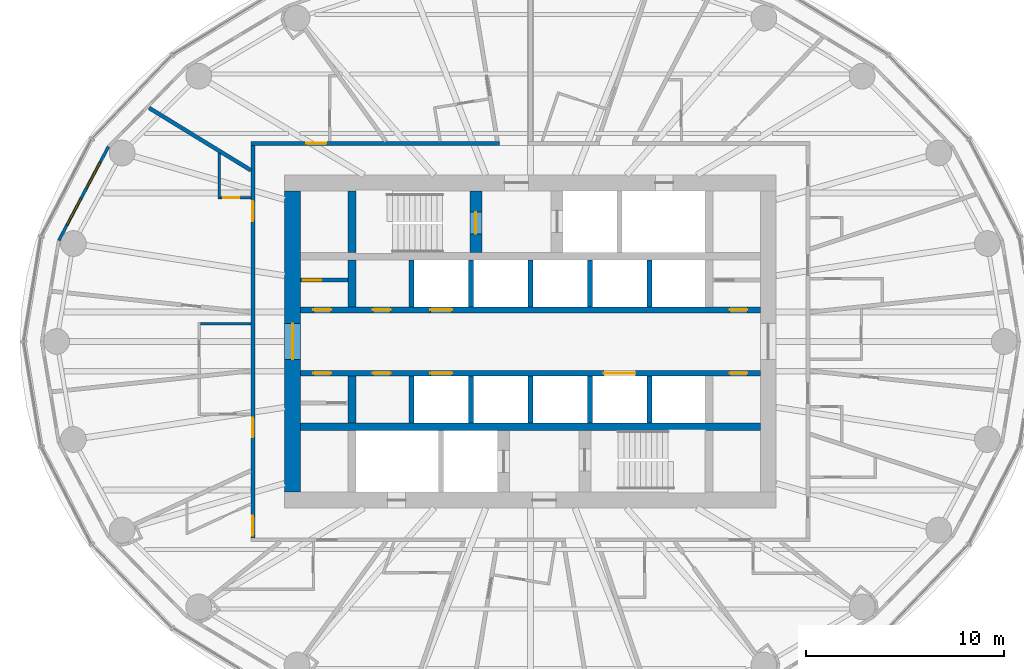
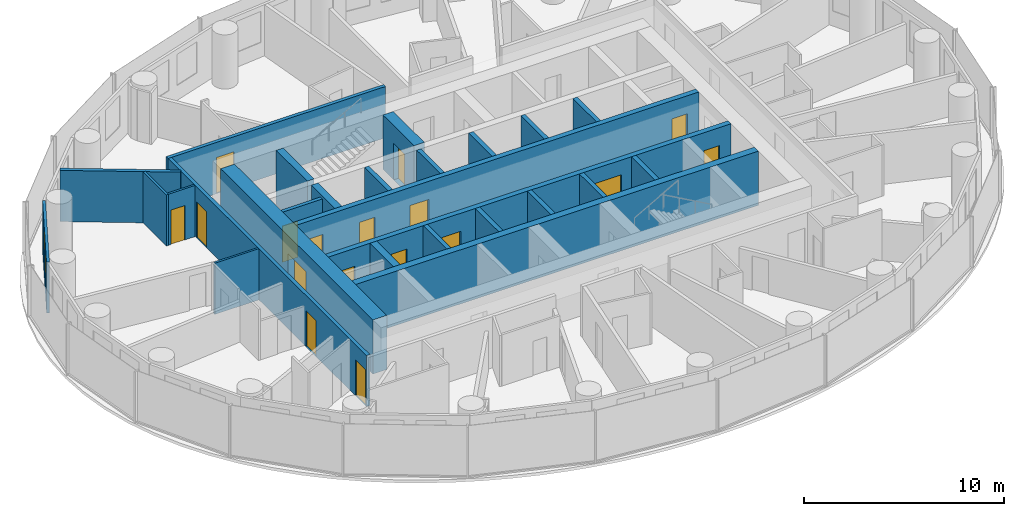
# One storey, part 8 of 13: 26 walls, 17 doors, 2 windows, 19 openings.
"""IFC4 building model written with IfcOpenShell, lengths in metres."""

from ifc_helpers import new_model, si_unit, direction, frame, frame_2d, origin, place, context, subcontext, project, spatial, rectangle, extrude, material, layer, layer_set, type_object, element, fill, save


model = new_model("IFC4")

# Units and contexts
model_context = context("Model", 3, precision=1e-05, world=origin(), true_north=direction((0.0, 1.0)))
body_context = subcontext(model_context, "Body", "Model", "MODEL_VIEW")
ifc_project = project(units=[si_unit("LENGTHUNIT", "METRE"), si_unit("AREAUNIT", "SQUARE_METRE"), si_unit("VOLUMEUNIT", "CUBIC_METRE"), si_unit("PLANEANGLEUNIT", "RADIAN"), si_unit("MASSUNIT", "GRAM", prefix="KILO")], contexts=[model_context])

# Site, building, storey
site_placement = place(None, origin())
site = spatial("IfcSite", under=ifc_project, at=site_placement, CompositionType="ELEMENT")
building_placement = place(site_placement, origin())
building = spatial("IfcBuilding", under=site, at=building_placement, Name="Hankou Lantern Tower", CompositionType="ELEMENT")
storey_placement = place(building_placement, frame((0.0, 0.0, 128.699951171875)))
storey = spatial("IfcBuildingStorey", under=building, at=storey_placement, Name="L33", CompositionType="ELEMENT", Elevation=128.699951171875)

# Wall, opening, door
ifc_material_1 = material(Name="Concrete C60", Category="concrete")
ifc_layer_1 = layer(ifc_material_1, 0.800048828125)
ifc_layer_set_1 = layer_set([ifc_layer_1], Name="Concrete C60")
wall_type_1 = type_object("IfcWallType", Name="CW2 CORE WALL 800", PredefinedType="SHEAR", material=ifc_layer_set_1)
wall_1_placement = place(storey_placement, frame((-12.0, 7.60009765625, 0.0), z_axis=(0.0, 0.0, 1.0), x_axis=(0.0, -1.0, 0.0)))
wall_1 = element("IfcWall", 1, at=wall_1_placement, inside=storey, type_object=wall_type_1, Name="Core wall west L33", PredefinedType="SHEAR", context=body_context, shape_type="SweptSolid", body=[
    extrude(rectangle(XDim=15.2001953125, YDim=0.800048828125, at=frame_2d((7.60009765625, 0.0))), origin(), (0.0, 0.0, 1.0), 3.300048828125),
])
opening_1_placement = place(wall_1_placement, frame((6.699951171875, 0.0, 0.0)))
opening_1 = element("IfcOpeningElement", 2, at=opening_1_placement, cuts=wall_1, Name="Opening D6", PredefinedType="OPENING", context=body_context, shape_type="SweptSolid", body=[
    extrude(rectangle(XDim=1.800048828125, YDim=2.199951171875, at=frame_2d((0.89990234375, 1.10009765625))), frame((0.0, 0.409912109375, 0.0), z_axis=(0.0, -1.0, 0.0), x_axis=(1.0, 0.0, 0.0)), (0.0, 0.0, 1.0), 0.820068359375),
])
ifc_material_2 = material(Name="Steel door leaf", Category="steel")
door_type_1 = type_object("IfcDoorType", Name="D6 LIFT LOBBY DOOR 1800X2200", OperationType="DOUBLE_DOOR_DOUBLE_SWING", PredefinedType="DOOR", material=ifc_material_2)
door_1_placement = place(opening_1_placement, origin())
door_1 = element("IfcDoor", 3, at=door_1_placement, inside=storey, type_object=door_type_1, Name="Lift lobby west door", OperationType="DOUBLE_DOOR_DOUBLE_SWING", OverallHeight=2.199951171875, OverallWidth=1.800048828125, PredefinedType="DOOR", context=body_context, shape_type="SweptSolid", body=[
    extrude(rectangle(XDim=1.800048828125, YDim=2.199951171875, at=frame_2d((0.89990234375, 1.10009765625))), frame((0.0, 0.02490234375, 0.0), z_axis=(0.0, -1.0, 0.0), x_axis=(1.0, 0.0, 0.0)), (0.0, 0.0, 1.0), 0.050048828125),
])
fill(opening_1, door_1)

# Walls
ifc_material_3 = material(Name="Concrete C60", Category="concrete")
ifc_layer_2 = layer(ifc_material_3, 0.39990234375)
ifc_layer_set_2 = layer_set([ifc_layer_2], Name="Concrete C60")
wall_type_2 = type_object("IfcWallType", Name="CW4 CORE CROSS WALL 400", PredefinedType="SHEAR", material=ifc_layer_set_2)
wall_2_placement = place(storey_placement, frame((-11.60009765625, -4.300048828125, 0.0), z_axis=(0.0, 0.0, 1.0), x_axis=(1.0, 0.0, 0.0)))
element("IfcWall", 4, at=wall_2_placement, inside=storey, type_object=wall_type_2, Name="Core band wall south L33", PredefinedType="SHEAR", context=body_context, shape_type="SweptSolid", body=[
    extrude(rectangle(XDim=23.2001953125, YDim=0.39990234375, at=frame_2d((11.60009765625, 0.0))), origin(), (0.0, 0.0, 1.0), 3.300048828125),
])
wall_3_placement = place(storey_placement, frame((-9.0, 4.5, 0.0), z_axis=(0.0, 0.0, 1.0), x_axis=(0.0, 1.0, 0.0)))
element("IfcWall", 5, at=wall_3_placement, inside=storey, type_object=wall_type_2, Name="Core strip wall L33", PredefinedType="SHEAR", context=body_context, shape_type="SweptSolid", body=[
    extrude(rectangle(XDim=3.10009765625, YDim=0.39990234375, at=frame_2d((1.550048828125, 0.0))), origin(), (0.0, 0.0, 1.0), 3.300048828125),
])
for number, where, z_axis, x_axis, name in (
    (6, (-9.0, 1.75, 0.0), (0.0, 0.0, 1.0), (0.0, 1.0, 0.0), "Core strip wall L33"),
    (7, (-9.0, -4.10009765625, 0.0), (0.0, 0.0, 1.0), (0.0, 1.0, 0.0), "Core strip wall L33"),
):
    element("IfcWall", number, at=place(storey_placement, frame(where, z_axis=z_axis, x_axis=x_axis)), inside=storey, type_object=wall_type_2, Name=name, PredefinedType="SHEAR", context=body_context, shape_type="SweptSolid", body=[
        extrude(rectangle(XDim=2.35009765625, YDim=0.39990234375, at=frame_2d((1.175048828125, 0.0))), origin(), (0.0, 0.0, 1.0), 3.300048828125),
    ])

# Wall, openings, doors
ifc_material_4 = material(Name="Concrete C60", Category="concrete")
ifc_layer_3 = layer(ifc_material_4, 0.300048828125)
ifc_layer_set_3 = layer_set([ifc_layer_3], Name="Concrete C60")
wall_type_3 = type_object("IfcWallType", Name="CW5 LIFT LOBBY WALL 300", PredefinedType="SHEAR", material=ifc_layer_set_3)
wall_4_placement = place(storey_placement, frame((-11.60009765625, 1.60009765625, 0.0), z_axis=(0.0, 0.0, 1.0), x_axis=(1.0, 0.0, 0.0)))
wall_4 = element("IfcWall", 8, at=wall_4_placement, inside=storey, type_object=wall_type_3, Name="Lift lobby wall north L33", PredefinedType="SHEAR", context=body_context, shape_type="SweptSolid", body=[
    extrude(rectangle(XDim=23.2001953125, YDim=0.300048828125, at=frame_2d((11.60009765625, 0.0))), origin(), (0.0, 0.0, 1.0), 3.300048828125),
])
opening_2_placement = place(wall_4_placement, frame((6.550048828125, 0.0, 0.0)))
opening_2 = element("IfcOpeningElement", 9, at=opening_2_placement, cuts=wall_4, Name="Opening LD1", PredefinedType="OPENING", context=body_context, shape_type="SweptSolid", body=[
    extrude(rectangle(XDim=1.10009765625, YDim=2.199951171875, at=frame_2d((0.550048828125, 1.10009765625))), frame((0.0, 0.159912109375, 0.0), z_axis=(0.0, -1.0, 0.0), x_axis=(1.0, 0.0, 0.0)), (0.0, 0.0, 1.0), 0.320068359375),
])
opening_3_placement = place(wall_4_placement, frame((3.64990234375, 0.0, 0.0)))
opening_3 = element("IfcOpeningElement", 10, at=opening_3_placement, cuts=wall_4, Name="Opening D30", PredefinedType="OPENING", context=body_context, shape_type="SweptSolid", body=[
    extrude(rectangle(XDim=0.89990234375, YDim=2.199951171875, at=frame_2d((0.449951171875, 1.10009765625))), frame((0.0, 0.159912109375, 0.0), z_axis=(0.0, -1.0, 0.0), x_axis=(1.0, 0.0, 0.0)), (0.0, 0.0, 1.0), 0.320068359375),
])
opening_4_placement = place(wall_4_placement, frame((21.64990234375, 0.0, 0.0)))
opening_4 = element("IfcOpeningElement", 11, at=opening_4_placement, cuts=wall_4, Name="Opening D30", PredefinedType="OPENING", context=body_context, shape_type="SweptSolid", body=[
    extrude(rectangle(XDim=0.89990234375, YDim=2.199951171875, at=frame_2d((0.449951171875, 1.10009765625))), frame((0.0, 0.159912109375, 0.0), z_axis=(0.0, -1.0, 0.0), x_axis=(1.0, 0.0, 0.0)), (0.0, 0.0, 1.0), 0.320068359375),
])
opening_5_placement = place(wall_4_placement, frame((0.64990234375, 0.0, 0.0)))
opening_5 = element("IfcOpeningElement", 12, at=opening_5_placement, cuts=wall_4, Name="Opening D30", PredefinedType="OPENING", context=body_context, shape_type="SweptSolid", body=[
    extrude(rectangle(XDim=0.89990234375, YDim=2.199951171875, at=frame_2d((0.449951171875, 1.10009765625))), frame((0.0, 0.159912109375, 0.0), z_axis=(0.0, -1.0, 0.0), x_axis=(1.0, 0.0, 0.0)), (0.0, 0.0, 1.0), 0.320068359375),
])
ifc_material_5 = material(Name="Steel door leaf", Category="steel")
door_type_2 = type_object("IfcDoorType", Name="D30 CORE ROOM DOOR 900X2200", OperationType="SINGLE_SWING_LEFT", PredefinedType="DOOR", material=ifc_material_5)
door_2_placement = place(opening_3_placement, origin())
door_2 = element("IfcDoor", 13, at=door_2_placement, inside=storey, type_object=door_type_2, Name="Guest pantry and ice room door", OperationType="SINGLE_SWING_LEFT", OverallHeight=2.199951171875, OverallWidth=0.89990234375, PredefinedType="DOOR", context=body_context, shape_type="SweptSolid", body=[
    extrude(rectangle(XDim=0.89990234375, YDim=2.199951171875, at=frame_2d((0.449951171875, 1.10009765625))), frame((0.0, 0.02490234375, 0.0), z_axis=(0.0, -1.0, 0.0), x_axis=(1.0, 0.0, 0.0)), (0.0, 0.0, 1.0), 0.050048828125),
])
fill(opening_3, door_2)
door_3_placement = place(opening_4_placement, origin())
door_3 = element("IfcDoor", 14, at=door_3_placement, inside=storey, type_object=door_type_2, Name="Vending room door", OperationType="SINGLE_SWING_RIGHT", OverallHeight=2.199951171875, OverallWidth=0.89990234375, PredefinedType="DOOR", context=body_context, shape_type="SweptSolid", body=[
    extrude(rectangle(XDim=0.89990234375, YDim=2.199951171875, at=frame_2d((0.449951171875, 1.10009765625))), frame((0.0, 0.02490234375, 0.0), z_axis=(0.0, -1.0, 0.0), x_axis=(1.0, 0.0, 0.0)), (0.0, 0.0, 1.0), 0.050048828125),
])
fill(opening_4, door_3)
door_4_placement = place(opening_5_placement, origin())
door_4 = element("IfcDoor", 15, at=door_4_placement, inside=storey, type_object=door_type_2, Name="IT and telecoms room door", OperationType="SINGLE_SWING_LEFT", OverallHeight=2.199951171875, OverallWidth=0.89990234375, PredefinedType="DOOR", context=body_context, shape_type="SweptSolid", body=[
    extrude(rectangle(XDim=0.89990234375, YDim=2.199951171875, at=frame_2d((0.449951171875, 1.10009765625))), frame((0.0, 0.02490234375, 0.0), z_axis=(0.0, -1.0, 0.0), x_axis=(1.0, 0.0, 0.0)), (0.0, 0.0, 1.0), 0.050048828125),
])
fill(opening_5, door_4)
ifc_material_6 = material(Name="Steel door leaf", Category="steel")
door_type_3 = type_object("IfcDoorType", Name="LD1 LIFT LANDING DOOR 1100X2200", OperationType="DOUBLE_DOOR_SLIDING", PredefinedType="DOOR", material=ifc_material_6)
door_5_placement = place(opening_2_placement, origin())
door_5 = element("IfcDoor", 16, at=door_5_placement, inside=storey, type_object=door_type_3, Name="Lift M1 landing door", OperationType="DOUBLE_DOOR_SLIDING", OverallHeight=2.199951171875, OverallWidth=1.10009765625, PredefinedType="DOOR", context=body_context, shape_type="SweptSolid", body=[
    extrude(rectangle(XDim=1.10009765625, YDim=2.199951171875, at=frame_2d((0.550048828125, 1.10009765625))), frame((0.0, 0.02490234375, 0.0), z_axis=(0.0, -1.0, 0.0), x_axis=(1.0, 0.0, 0.0)), (0.0, 0.0, 1.0), 0.050048828125),
])
fill(opening_2, door_5)

wall_5_placement = place(storey_placement, frame((-11.60009765625, -1.60009765625, 0.0), z_axis=(0.0, 0.0, 1.0), x_axis=(1.0, 0.0, 0.0)))
wall_5 = element("IfcWall", 17, at=wall_5_placement, inside=storey, type_object=wall_type_3, Name="Lift lobby wall south L33", PredefinedType="SHEAR", context=body_context, shape_type="SweptSolid", body=[
    extrude(rectangle(XDim=23.2001953125, YDim=0.300048828125, at=frame_2d((11.60009765625, 0.0))), origin(), (0.0, 0.0, 1.0), 3.300048828125),
])
opening_6_placement = place(wall_5_placement, frame((6.550048828125, 0.0, 0.0)))
opening_6 = element("IfcOpeningElement", 18, at=opening_6_placement, cuts=wall_5, Name="Opening LD1", PredefinedType="OPENING", context=body_context, shape_type="SweptSolid", body=[
    extrude(rectangle(XDim=1.10009765625, YDim=2.199951171875, at=frame_2d((0.550048828125, 1.10009765625))), frame((0.0, 0.159912109375, 0.0), z_axis=(0.0, -1.0, 0.0), x_axis=(1.0, 0.0, 0.0)), (0.0, 0.0, 1.0), 0.320068359375),
])
opening_7_placement = place(wall_5_placement, frame((15.300048828125, 0.0, 0.0)))
opening_7 = element("IfcOpeningElement", 19, at=opening_7_placement, cuts=wall_5, Name="Opening LD4", PredefinedType="OPENING", context=body_context, shape_type="SweptSolid", body=[
    extrude(rectangle(XDim=1.60009765625, YDim=2.39990234375, at=frame_2d((0.800048828125, 1.199951171875))), frame((0.0, 0.159912109375, 0.0), z_axis=(0.0, -1.0, 0.0), x_axis=(1.0, 0.0, 0.0)), (0.0, 0.0, 1.0), 0.320068359375),
])
opening_8_placement = place(wall_5_placement, frame((0.64990234375, 0.0, 0.0)))
opening_8 = element("IfcOpeningElement", 20, at=opening_8_placement, cuts=wall_5, Name="Opening D30", PredefinedType="OPENING", context=body_context, shape_type="SweptSolid", body=[
    extrude(rectangle(XDim=0.89990234375, YDim=2.199951171875, at=frame_2d((0.449951171875, 1.10009765625))), frame((0.0, 0.159912109375, 0.0), z_axis=(0.0, -1.0, 0.0), x_axis=(1.0, 0.0, 0.0)), (0.0, 0.0, 1.0), 0.320068359375),
])
opening_9_placement = place(wall_5_placement, frame((3.64990234375, 0.0, 0.0)))
opening_9 = element("IfcOpeningElement", 21, at=opening_9_placement, cuts=wall_5, Name="Opening D30", PredefinedType="OPENING", context=body_context, shape_type="SweptSolid", body=[
    extrude(rectangle(XDim=0.89990234375, YDim=2.199951171875, at=frame_2d((0.449951171875, 1.10009765625))), frame((0.0, 0.159912109375, 0.0), z_axis=(0.0, -1.0, 0.0), x_axis=(1.0, 0.0, 0.0)), (0.0, 0.0, 1.0), 0.320068359375),
])
opening_10_placement = place(wall_5_placement, frame((21.64990234375, 0.0, 0.0)))
opening_10 = element("IfcOpeningElement", 22, at=opening_10_placement, cuts=wall_5, Name="Opening D30", PredefinedType="OPENING", context=body_context, shape_type="SweptSolid", body=[
    extrude(rectangle(XDim=0.89990234375, YDim=2.199951171875, at=frame_2d((0.449951171875, 1.10009765625))), frame((0.0, 0.159912109375, 0.0), z_axis=(0.0, -1.0, 0.0), x_axis=(1.0, 0.0, 0.0)), (0.0, 0.0, 1.0), 0.320068359375),
])
door_6_placement = place(opening_8_placement, origin())
door_6 = element("IfcDoor", 23, at=door_6_placement, inside=storey, type_object=door_type_2, Name="Room service pantry door", OperationType="SINGLE_SWING_LEFT", OverallHeight=2.199951171875, OverallWidth=0.89990234375, PredefinedType="DOOR", context=body_context, shape_type="SweptSolid", body=[
    extrude(rectangle(XDim=0.89990234375, YDim=2.199951171875, at=frame_2d((0.449951171875, 1.10009765625))), frame((0.0, 0.02490234375, 0.0), z_axis=(0.0, -1.0, 0.0), x_axis=(1.0, 0.0, 0.0)), (0.0, 0.0, 1.0), 0.050048828125),
])
fill(opening_8, door_6)
door_7_placement = place(opening_9_placement, origin())
door_7 = element("IfcDoor", 24, at=door_7_placement, inside=storey, type_object=door_type_2, Name="Housekeeping and linen store door", OperationType="SINGLE_SWING_LEFT", OverallHeight=2.199951171875, OverallWidth=0.89990234375, PredefinedType="DOOR", context=body_context, shape_type="SweptSolid", body=[
    extrude(rectangle(XDim=0.89990234375, YDim=2.199951171875, at=frame_2d((0.449951171875, 1.10009765625))), frame((0.0, 0.02490234375, 0.0), z_axis=(0.0, -1.0, 0.0), x_axis=(1.0, 0.0, 0.0)), (0.0, 0.0, 1.0), 0.050048828125),
])
fill(opening_9, door_7)
door_8_placement = place(opening_10_placement, origin())
door_8 = element("IfcDoor", 25, at=door_8_placement, inside=storey, type_object=door_type_2, Name="Staff locker room door", OperationType="SINGLE_SWING_RIGHT", OverallHeight=2.199951171875, OverallWidth=0.89990234375, PredefinedType="DOOR", context=body_context, shape_type="SweptSolid", body=[
    extrude(rectangle(XDim=0.89990234375, YDim=2.199951171875, at=frame_2d((0.449951171875, 1.10009765625))), frame((0.0, 0.02490234375, 0.0), z_axis=(0.0, -1.0, 0.0), x_axis=(1.0, 0.0, 0.0)), (0.0, 0.0, 1.0), 0.050048828125),
])
fill(opening_10, door_8)
door_9_placement = place(opening_6_placement, origin())
door_9 = element("IfcDoor", 26, at=door_9_placement, inside=storey, type_object=door_type_3, Name="Lift M2 landing door", OperationType="DOUBLE_DOOR_SLIDING", OverallHeight=2.199951171875, OverallWidth=1.10009765625, PredefinedType="DOOR", context=body_context, shape_type="SweptSolid", body=[
    extrude(rectangle(XDim=1.10009765625, YDim=2.199951171875, at=frame_2d((0.550048828125, 1.10009765625))), frame((0.0, 0.02490234375, 0.0), z_axis=(0.0, -1.0, 0.0), x_axis=(1.0, 0.0, 0.0)), (0.0, 0.0, 1.0), 0.050048828125),
])
fill(opening_6, door_9)
ifc_material_7 = material(Name="Steel door leaf", Category="steel")
door_type_4 = type_object("IfcDoorType", Name="LD4 SERVICE LIFT LANDING DOOR 1600X2400", OperationType="DOUBLE_DOOR_SLIDING", PredefinedType="DOOR", material=ifc_material_7)
door_10_placement = place(opening_7_placement, origin())
door_10 = element("IfcDoor", 27, at=door_10_placement, inside=storey, type_object=door_type_4, Name="Lift SV1 landing door", OperationType="DOUBLE_DOOR_SLIDING", OverallHeight=2.39990234375, OverallWidth=1.60009765625, PredefinedType="DOOR", context=body_context, shape_type="SweptSolid", body=[
    extrude(rectangle(XDim=1.60009765625, YDim=2.39990234375, at=frame_2d((0.800048828125, 1.199951171875))), frame((0.0, 0.02490234375, 0.0), z_axis=(0.0, -1.0, 0.0), x_axis=(1.0, 0.0, 0.0)), (0.0, 0.0, 1.0), 0.050048828125),
])
fill(opening_7, door_10)

# Wall, opening, door
ifc_material_8 = material(Name="Concrete C60", Category="concrete")
ifc_layer_4 = layer(ifc_material_8, 0.60009765625)
ifc_layer_set_4 = layer_set([ifc_layer_4], Name="Concrete C60")
wall_type_4 = type_object("IfcWallType", Name="CW6 STAIR AND SHAFT WALL 600", PredefinedType="SHEAR", material=ifc_layer_set_4)
wall_6_placement = place(storey_placement, frame((-2.75, 4.5, 0.0), z_axis=(0.0, 0.0, 1.0), x_axis=(0.0, 1.0, 0.0)))
wall_6 = element("IfcWall", 28, at=wall_6_placement, inside=storey, type_object=wall_type_4, Name="Stair wall L33", PredefinedType="SHEAR", context=body_context, shape_type="SweptSolid", body=[
    extrude(rectangle(XDim=3.10009765625, YDim=0.60009765625, at=frame_2d((1.550048828125, 0.0))), origin(), (0.0, 0.0, 1.0), 3.300048828125),
])
opening_11_placement = place(wall_6_placement, frame((0.925048828125, 0.0, 0.0)))
opening_11 = element("IfcOpeningElement", 29, at=opening_11_placement, cuts=wall_6, Name="Opening D4", PredefinedType="OPENING", context=body_context, shape_type="SweptSolid", body=[
    extrude(rectangle(XDim=1.10009765625, YDim=2.199951171875, at=frame_2d((0.550048828125, 1.10009765625))), frame((0.0, 0.31005859375, 0.0), z_axis=(0.0, -1.0, 0.0), x_axis=(1.0, 0.0, 0.0)), (0.0, 0.0, 1.0), 0.6201171875),
])
ifc_material_9 = material(Name="Steel door leaf", Category="steel")
door_type_5 = type_object("IfcDoorType", Name="D4 STAIR DOOR 1100X2200", OperationType="SINGLE_SWING_LEFT", PredefinedType="DOOR", material=ifc_material_9)
door_11_placement = place(opening_11_placement, origin())
door_11 = element("IfcDoor", 30, at=door_11_placement, inside=storey, type_object=door_type_5, Name="Stair A door", OperationType="SINGLE_SWING_LEFT", OverallHeight=2.199951171875, OverallWidth=1.10009765625, PredefinedType="DOOR", context=body_context, shape_type="SweptSolid", body=[
    extrude(rectangle(XDim=1.10009765625, YDim=2.199951171875, at=frame_2d((0.550048828125, 1.10009765625))), frame((0.0, 0.02490234375, 0.0), z_axis=(0.0, -1.0, 0.0), x_axis=(1.0, 0.0, 0.0)), (0.0, 0.0, 1.0), 0.050048828125),
])
fill(opening_11, door_11)

# Wall, openings, windows
ifc_material_10 = material(Name="Aluminium spandrel panel on steel studs", Category="steel")
ifc_layer_5 = layer(ifc_material_10, 0.14990234375)
ifc_layer_set_5 = layer_set([ifc_layer_5], Name="Aluminium spandrel panel on steel studs")
wall_type_5 = type_object("IfcWallType", Name="EW1 INNER SKIN WALL 150", PredefinedType="ELEMENTEDWALL", material=ifc_layer_set_5)
wall_7_placement = place(storey_placement, frame((-21.287353515625, 9.83203125, 0.0), z_axis=(0.0, 0.0, 1.0), x_axis=(-0.467814388454, -0.883826735257, 0.0)))
wall_7 = element("IfcWall", 31, at=wall_7_placement, inside=storey, type_object=wall_type_5, Name="Inner skin R11-R12 L33", PredefinedType="ELEMENTEDWALL", context=body_context, shape_type="SweptSolid", body=[
    extrude(rectangle(XDim=5.35400390625, YDim=0.14990234375, at=frame_2d((2.677001953125, 0.0))), origin(), (0.0, 0.0, 1.0), 3.1201171875),
])
opening_12_placement = place(wall_7_placement, frame((0.876953125, 0.0, 0.89990234375)))
opening_12 = element("IfcOpeningElement", 32, at=opening_12_placement, cuts=wall_7, Name="Opening W2", PredefinedType="OPENING", context=body_context, shape_type="SweptSolid", body=[
    extrude(rectangle(XDim=1.5, YDim=1.89990234375, at=frame_2d((0.75, 0.949951171875))), frame((0.0, 0.0849609375, 0.0), z_axis=(0.0, -1.0, 0.0), x_axis=(1.0, 0.0, 0.0)), (0.0, 0.0, 1.0), 0.169921875),
])
opening_13_placement = place(wall_7_placement, frame((2.97705078125, 0.0, 0.89990234375)))
opening_13 = element("IfcOpeningElement", 33, at=opening_13_placement, cuts=wall_7, Name="Opening W2", PredefinedType="OPENING", context=body_context, shape_type="SweptSolid", body=[
    extrude(rectangle(XDim=1.5, YDim=1.89990234375, at=frame_2d((0.75, 0.949951171875))), frame((0.0, 0.0849609375, 0.0), z_axis=(0.0, -1.0, 0.0), x_axis=(1.0, 0.0, 0.0)), (0.0, 0.0, 1.0), 0.169921875),
])
ifc_material_11 = material(Name="Aluminium framed double glazed window", Category="aluminium")
window_type = type_object("IfcWindowType", Name="W2 GUEST ROOM WINDOW 1500X1900", PartitioningType="DOUBLE_PANEL_VERTICAL", PredefinedType="WINDOW", material=ifc_material_11)
window_1_placement = place(opening_12_placement, origin())
window_1 = element("IfcWindow", 34, at=window_1_placement, inside=storey, type_object=window_type, Name="Window R11.1 L33", OverallHeight=1.89990234375, OverallWidth=1.5, PartitioningType="SINGLE_PANEL", PredefinedType="WINDOW", context=body_context, shape_type="SweptSolid", body=[
    extrude(rectangle(XDim=1.5, YDim=1.89990234375, at=frame_2d((0.75, 0.949951171875))), frame((0.0, 0.030029296875, 0.0), z_axis=(0.0, -1.0, 0.0), x_axis=(1.0, 0.0, 0.0)), (0.0, 0.0, 1.0), 0.06005859375),
])
fill(opening_12, window_1)
window_2_placement = place(opening_13_placement, origin())
window_2 = element("IfcWindow", 35, at=window_2_placement, inside=storey, type_object=window_type, Name="Window R11.2 L33", OverallHeight=1.89990234375, OverallWidth=1.5, PartitioningType="SINGLE_PANEL", PredefinedType="WINDOW", context=body_context, shape_type="SweptSolid", body=[
    extrude(rectangle(XDim=1.5, YDim=1.89990234375, at=frame_2d((0.75, 0.949951171875))), frame((0.0, 0.030029296875, 0.0), z_axis=(0.0, -1.0, 0.0), x_axis=(1.0, 0.0, 0.0)), (0.0, 0.0, 1.0), 0.06005859375),
])
fill(opening_13, window_2)

# Wall
ifc_material_12 = material(Name="Masonry lightweight concrete block", Category="masonry")
ifc_layer_6 = layer(ifc_material_12, 0.199951171875)
ifc_layer_set_6 = layer_set([ifc_layer_6], Name="Masonry lightweight concrete block")
wall_type_6 = type_object("IfcWallType", Name="IW1 GUEST ROOM PARTY WALL 200", PredefinedType="PARTITIONING", material=ifc_layer_set_6)
wall_8_placement = place(storey_placement, frame((-14.10009765625, 8.6376953125, 0.0), z_axis=(0.0, 0.0, 1.0), x_axis=(-0.852706758009, 0.5223898782, 0.0)))
element("IfcWall", 36, at=wall_8_placement, inside=storey, type_object=wall_type_6, Name="Party wall R10-R11", PredefinedType="PARTITIONING", context=body_context, shape_type="SweptSolid", body=[
    extrude(rectangle(XDim=6.0185546875, YDim=0.199951171875, at=frame_2d((3.00927734375, 0.0))), origin(), (0.0, 0.0, 1.0), 3.1201171875),
])

# Wall, opening, door
ifc_material_13 = material(Name="Masonry lightweight concrete block", Category="masonry")
ifc_layer_7 = layer(ifc_material_13, 0.199951171875)
ifc_layer_set_7 = layer_set([ifc_layer_7], Name="Masonry lightweight concrete block")
wall_type_7 = type_object("IfcWallType", Name="IW2 CORRIDOR WALL 200", PredefinedType="PARTITIONING", material=ifc_layer_set_7)
wall_9_placement = place(storey_placement, frame((-14.10009765625, 10.0, 0.0), z_axis=(0.0, 0.0, 1.0), x_axis=(1.0, 0.0, 0.0)))
wall_9 = element("IfcWall", 37, at=wall_9_placement, inside=storey, type_object=wall_type_7, Name="Corridor wall north", PredefinedType="PARTITIONING", context=body_context, shape_type="SweptSolid", body=[
    extrude(rectangle(XDim=12.534912109375, YDim=0.199951171875, at=frame_2d((6.267578125, 0.0))), origin(), (0.0, 0.0, 1.0), 3.1201171875),
])
opening_14_placement = place(wall_9_placement, frame((2.801025390625, 0.0, 0.0)))
opening_14 = element("IfcOpeningElement", 38, at=opening_14_placement, cuts=wall_9, Name="Opening D1", PredefinedType="OPENING", context=body_context, shape_type="SweptSolid", body=[
    extrude(rectangle(XDim=1.0, YDim=2.199951171875, at=frame_2d((0.5, 1.10009765625))), frame((0.0, 0.10986328125, 0.0), z_axis=(0.0, -1.0, 0.0), x_axis=(1.0, 0.0, 0.0)), (0.0, 0.0, 1.0), 0.219970703125),
])
ifc_material_14 = material(Name="Steel door leaf", Category="steel")
door_type_6 = type_object("IfcDoorType", Name="D1 GUEST ROOM DOOR 1000X2200", OperationType="SINGLE_SWING_LEFT", PredefinedType="DOOR", material=ifc_material_14)
door_12_placement = place(opening_14_placement, origin())
door_12 = element("IfcDoor", 39, at=door_12_placement, inside=storey, type_object=door_type_6, Name="Guest room door 3305", OperationType="SINGLE_SWING_RIGHT", OverallHeight=2.199951171875, OverallWidth=1.0, PredefinedType="DOOR", context=body_context, shape_type="SweptSolid", body=[
    extrude(rectangle(XDim=1.0, YDim=2.199951171875, at=frame_2d((0.5, 1.10009765625))), frame((0.0, 0.02490234375, 0.0), z_axis=(0.0, -1.0, 0.0), x_axis=(1.0, 0.0, 0.0)), (0.0, 0.0, 1.0), 0.050048828125),
])
fill(opening_14, door_12)

# Wall, openings, doors
wall_10_placement = place(storey_placement, frame((-14.0, 9.89990234375, 0.0), z_axis=(0.0, 0.0, 1.0), x_axis=(0.0, -1.0, 0.0)))
wall_10 = element("IfcWall", 40, at=wall_10_placement, inside=storey, type_object=wall_type_7, Name="Corridor wall west", PredefinedType="PARTITIONING", context=body_context, shape_type="SweptSolid", body=[
    extrude(rectangle(XDim=19.7998046875, YDim=0.199951171875, at=frame_2d((9.89990234375, 0.0))), origin(), (0.0, 0.0, 1.0), 3.1201171875),
])
opening_15_placement = place(wall_10_placement, frame((2.822265625, 0.0, 0.0)))
opening_15 = element("IfcOpeningElement", 41, at=opening_15_placement, cuts=wall_10, Name="Opening D2", PredefinedType="OPENING", context=body_context, shape_type="SweptSolid", body=[
    extrude(rectangle(XDim=1.0, YDim=2.199951171875, at=frame_2d((0.5, 1.10009765625))), frame((0.0, 0.10986328125, 0.0), z_axis=(0.0, -1.0, 0.0), x_axis=(1.0, 0.0, 0.0)), (0.0, 0.0, 1.0), 0.219970703125),
])
opening_16_placement = place(wall_10_placement, frame((13.74169921875, 0.0, 0.0)))
opening_16 = element("IfcOpeningElement", 42, at=opening_16_placement, cuts=wall_10, Name="Opening D1", PredefinedType="OPENING", context=body_context, shape_type="SweptSolid", body=[
    extrude(rectangle(XDim=1.0, YDim=2.199951171875, at=frame_2d((0.5, 1.10009765625))), frame((0.0, 0.10986328125, 0.0), z_axis=(0.0, -1.0, 0.0), x_axis=(1.0, 0.0, 0.0)), (0.0, 0.0, 1.0), 0.219970703125),
])
opening_17_placement = place(wall_10_placement, frame((18.697509765625, 0.0, 0.0)))
opening_17 = element("IfcOpeningElement", 43, at=opening_17_placement, cuts=wall_10, Name="Opening D1", PredefinedType="OPENING", context=body_context, shape_type="SweptSolid", body=[
    extrude(rectangle(XDim=1.0, YDim=2.199951171875, at=frame_2d((0.5, 1.10009765625))), frame((0.0, 0.10986328125, 0.0), z_axis=(0.0, -1.0, 0.0), x_axis=(1.0, 0.0, 0.0)), (0.0, 0.0, 1.0), 0.219970703125),
])
door_13_placement = place(opening_16_placement, origin())
door_13 = element("IfcDoor", 44, at=door_13_placement, inside=storey, type_object=door_type_6, Name="Guest room door 3307", OperationType="SINGLE_SWING_RIGHT", OverallHeight=2.199951171875, OverallWidth=1.0, PredefinedType="DOOR", context=body_context, shape_type="SweptSolid", body=[
    extrude(rectangle(XDim=1.0, YDim=2.199951171875, at=frame_2d((0.5, 1.10009765625))), frame((0.0, 0.02490234375, 0.0), z_axis=(0.0, -1.0, 0.0), x_axis=(1.0, 0.0, 0.0)), (0.0, 0.0, 1.0), 0.050048828125),
])
fill(opening_16, door_13)
door_14_placement = place(opening_17_placement, origin())
door_14 = element("IfcDoor", 45, at=door_14_placement, inside=storey, type_object=door_type_6, Name="Guest room door 3308", OperationType="SINGLE_SWING_RIGHT", OverallHeight=2.199951171875, OverallWidth=1.0, PredefinedType="DOOR", context=body_context, shape_type="SweptSolid", body=[
    extrude(rectangle(XDim=1.0, YDim=2.199951171875, at=frame_2d((0.5, 1.10009765625))), frame((0.0, 0.02490234375, 0.0), z_axis=(0.0, -1.0, 0.0), x_axis=(1.0, 0.0, 0.0)), (0.0, 0.0, 1.0), 0.050048828125),
])
fill(opening_17, door_14)
ifc_material_15 = material(Name="Steel door leaf", Category="steel")
door_type_7 = type_object("IfcDoorType", Name="D2 SUITE DOOR 1000X2200", OperationType="SINGLE_SWING_LEFT", PredefinedType="DOOR", material=ifc_material_15)
door_15_placement = place(opening_15_placement, origin())
door_15 = element("IfcDoor", 46, at=door_15_placement, inside=storey, type_object=door_type_7, Name="Suite door 3306C", OperationType="SINGLE_SWING_LEFT", OverallHeight=2.199951171875, OverallWidth=1.0, PredefinedType="DOOR", context=body_context, shape_type="SweptSolid", body=[
    extrude(rectangle(XDim=1.0, YDim=2.199951171875, at=frame_2d((0.5, 1.10009765625))), frame((0.0, 0.02490234375, 0.0), z_axis=(0.0, -1.0, 0.0), x_axis=(1.0, 0.0, 0.0)), (0.0, 0.0, 1.0), 0.050048828125),
])
fill(opening_15, door_15)

# Wall
ifc_material_16 = material(Name="Masonry lightweight concrete block", Category="masonry")
ifc_layer_8 = layer(ifc_material_16, 0.1201171875)
ifc_layer_set_8 = layer_set([ifc_layer_8], Name="Masonry lightweight concrete block")
wall_type_8 = type_object("IfcWallType", Name="IW3 BATHROOM WALL 120", PredefinedType="PARTITIONING", material=ifc_layer_set_8)
wall_11_placement = place(storey_placement, frame((-15.699951171875, 9.517822265625, 0.0), z_axis=(0.0, 0.0, 1.0), x_axis=(0.0, -1.0, 0.0)))
element("IfcWall", 47, at=wall_11_placement, inside=storey, type_object=wall_type_8, Name="Box wall 3306C 1", PredefinedType="PARTITIONING", context=body_context, shape_type="SweptSolid", body=[
    extrude(rectangle(XDim=2.320068359375, YDim=0.1201171875, at=frame_2d((1.16015625, 0.0))), origin(), (0.0, 0.0, 1.0), 3.1201171875),
])

# Wall, opening, door
wall_12_placement = place(storey_placement, frame((-14.10009765625, 7.2578125, 0.0), z_axis=(0.0, 0.0, 1.0), x_axis=(-1.0, 0.0, 0.0)))
wall_12 = element("IfcWall", 48, at=wall_12_placement, inside=storey, type_object=wall_type_8, Name="Box wall 3306C 1", PredefinedType="PARTITIONING", context=body_context, shape_type="SweptSolid", body=[
    extrude(rectangle(XDim=1.539794921875, YDim=0.1201171875, at=frame_2d((0.77001953125, 0.0))), origin(), (0.0, 0.0, 1.0), 3.1201171875),
])
opening_18_placement = place(wall_12_placement, frame((0.590087890625, 0.0, 0.0)))
opening_18 = element("IfcOpeningElement", 49, at=opening_18_placement, cuts=wall_12, Name="Opening D3", PredefinedType="OPENING", context=body_context, shape_type="SweptSolid", body=[
    extrude(rectangle(XDim=0.800048828125, YDim=2.10009765625, at=frame_2d((0.39990234375, 1.050048828125))), frame((0.0, 0.070068359375, 0.0), z_axis=(0.0, -1.0, 0.0), x_axis=(1.0, 0.0, 0.0)), (0.0, 0.0, 1.0), 0.14013671875),
])
ifc_material_17 = material(Name="Timber door leaf", Category="wood")
door_type_8 = type_object("IfcDoorType", Name="D3 BATHROOM DOOR 800X2100", OperationType="SINGLE_SWING_LEFT", PredefinedType="DOOR", material=ifc_material_17)
door_16_placement = place(opening_18_placement, origin())
door_16 = element("IfcDoor", 50, at=door_16_placement, inside=storey, type_object=door_type_8, Name="Corner suite 3306 guest WC door", OperationType="SINGLE_SWING_LEFT", OverallHeight=2.10009765625, OverallWidth=0.800048828125, PredefinedType="DOOR", context=body_context, shape_type="SweptSolid", body=[
    extrude(rectangle(XDim=0.800048828125, YDim=2.10009765625, at=frame_2d((0.39990234375, 1.050048828125))), frame((0.0, 0.02490234375, 0.0), z_axis=(0.0, -1.0, 0.0), x_axis=(1.0, 0.0, 0.0)), (0.0, 0.0, 1.0), 0.050048828125),
])
fill(opening_18, door_16)

# Wall
wall_13_placement = place(storey_placement, frame((-14.10009765625, 0.898193359375, 0.0), z_axis=(0.0, 0.0, 1.0), x_axis=(-1.0, 0.0, 0.0)))
element("IfcWall", 51, at=wall_13_placement, inside=storey, type_object=wall_type_8, Name="Box wall 3306A 1", PredefinedType="PARTITIONING", context=body_context, shape_type="SweptSolid", body=[
    extrude(rectangle(XDim=2.539794921875, YDim=0.1201171875, at=frame_2d((1.27001953125, 0.0))), origin(), (0.0, 0.0, 1.0), 3.1201171875),
])

# Wall, opening, door
ifc_material_18 = material(Name="Masonry lightweight concrete block", Category="masonry")
ifc_layer_9 = layer(ifc_material_18, 0.199951171875)
ifc_layer_set_9 = layer_set([ifc_layer_9], Name="Masonry lightweight concrete block")
wall_type_9 = type_object("IfcWallType", Name="IW8 PARTITION 200", PredefinedType="PARTITIONING", material=ifc_layer_set_9)
wall_14_placement = place(storey_placement, frame((-11.60009765625, 3.10009765625, 0.0), z_axis=(0.0, 0.0, 1.0), x_axis=(1.0, 0.0, 0.0)))
wall_14 = element("IfcWall", 52, at=wall_14_placement, inside=storey, type_object=wall_type_9, Name="Partition it and telecoms room", PredefinedType="PARTITIONING", context=body_context, shape_type="SweptSolid", body=[
    extrude(rectangle(XDim=2.400146484375, YDim=0.199951171875, at=frame_2d((1.2001953125, 0.0))), origin(), (0.0, 0.0, 1.0), 3.1201171875),
])
opening_19_placement = place(wall_14_placement, frame((0.14990234375, 0.0, 0.0)))
opening_19 = element("IfcOpeningElement", 53, at=opening_19_placement, cuts=wall_14, Name="Opening D12", PredefinedType="OPENING", context=body_context, shape_type="SweptSolid", body=[
    extrude(rectangle(XDim=0.89990234375, YDim=2.199951171875, at=frame_2d((0.449951171875, 1.10009765625))), frame((0.0, 0.10986328125, 0.0), z_axis=(0.0, -1.0, 0.0), x_axis=(1.0, 0.0, 0.0)), (0.0, 0.0, 1.0), 0.219970703125),
])
ifc_material_19 = material(Name="Steel door leaf", Category="steel")
door_type_9 = type_object("IfcDoorType", Name="D12 STORE DOOR 900X2200", OperationType="SINGLE_SWING_LEFT", PredefinedType="DOOR", material=ifc_material_19)
door_17_placement = place(opening_19_placement, origin())
door_17 = element("IfcDoor", 54, at=door_17_placement, inside=storey, type_object=door_type_9, Name="Comms cupboard door", OperationType="SINGLE_SWING_LEFT", OverallHeight=2.199951171875, OverallWidth=0.89990234375, PredefinedType="DOOR", context=body_context, shape_type="SweptSolid", body=[
    extrude(rectangle(XDim=0.89990234375, YDim=2.199951171875, at=frame_2d((0.449951171875, 1.10009765625))), frame((0.0, 0.02490234375, 0.0), z_axis=(0.0, -1.0, 0.0), x_axis=(1.0, 0.0, 0.0)), (0.0, 0.0, 1.0), 0.050048828125),
])
fill(opening_19, door_17)

# Walls
ifc_material_20 = material(Name="Masonry autoclaved aerated concrete block", Category="masonry")
ifc_layer_10 = layer(ifc_material_20, 0.25)
ifc_layer_set_10 = layer_set([ifc_layer_10], Name="Masonry autoclaved aerated concrete block")
wall_type_10 = type_object("IfcWallType", Name="SW1 SHAFT BLOCK WALL 250", PredefinedType="PARTITIONING", material=ifc_layer_set_10)
for number, where, z_axis, x_axis, name in (
    (55, (-6.0, 1.75, 0.0), (0.0, 0.0, 1.0), (0.0, 1.0, 0.0), "Lift shaft wall L33"),
    (56, (-3.0, 1.75, 0.0), (0.0, 0.0, 1.0), (0.0, 1.0, 0.0), "Lift shaft wall L33"),
    (57, (0.0, 1.75, 0.0), (0.0, 0.0, 1.0), (0.0, 1.0, 0.0), "Lift shaft wall L33"),
    (58, (3.0, 1.75, 0.0), (0.0, 0.0, 1.0), (0.0, 1.0, 0.0), "Lift shaft wall L33"),
    (59, (6.0, 1.75, 0.0), (0.0, 0.0, 1.0), (0.0, 1.0, 0.0), "Lift shaft wall L33"),
    (60, (-6.0, -4.10009765625, 0.0), (0.0, 0.0, 1.0), (0.0, 1.0, 0.0), "Lift shaft wall L33"),
    (61, (-3.0, -4.10009765625, 0.0), (0.0, 0.0, 1.0), (0.0, 1.0, 0.0), "Lift shaft wall L33"),
    (62, (0.0, -4.10009765625, 0.0), (0.0, 0.0, 1.0), (0.0, 1.0, 0.0), "Lift shaft wall L33"),
    (63, (3.0, -4.10009765625, 0.0), (0.0, 0.0, 1.0), (0.0, 1.0, 0.0), "Lift shaft wall L33"),
    (64, (6.0, -4.10009765625, 0.0), (0.0, 0.0, 1.0), (0.0, 1.0, 0.0), "Lift shaft wall L33"),
):
    element("IfcWall", number, at=place(storey_placement, frame(where, z_axis=z_axis, x_axis=x_axis)), inside=storey, type_object=wall_type_10, Name=name, PredefinedType="PARTITIONING", context=body_context, shape_type="SweptSolid", body=[
        extrude(rectangle(XDim=2.35009765625, YDim=0.25, at=frame_2d((1.175048828125, 0.0))), origin(), (0.0, 0.0, 1.0), 3.300048828125),
    ])

save(model, "model.ifc")
